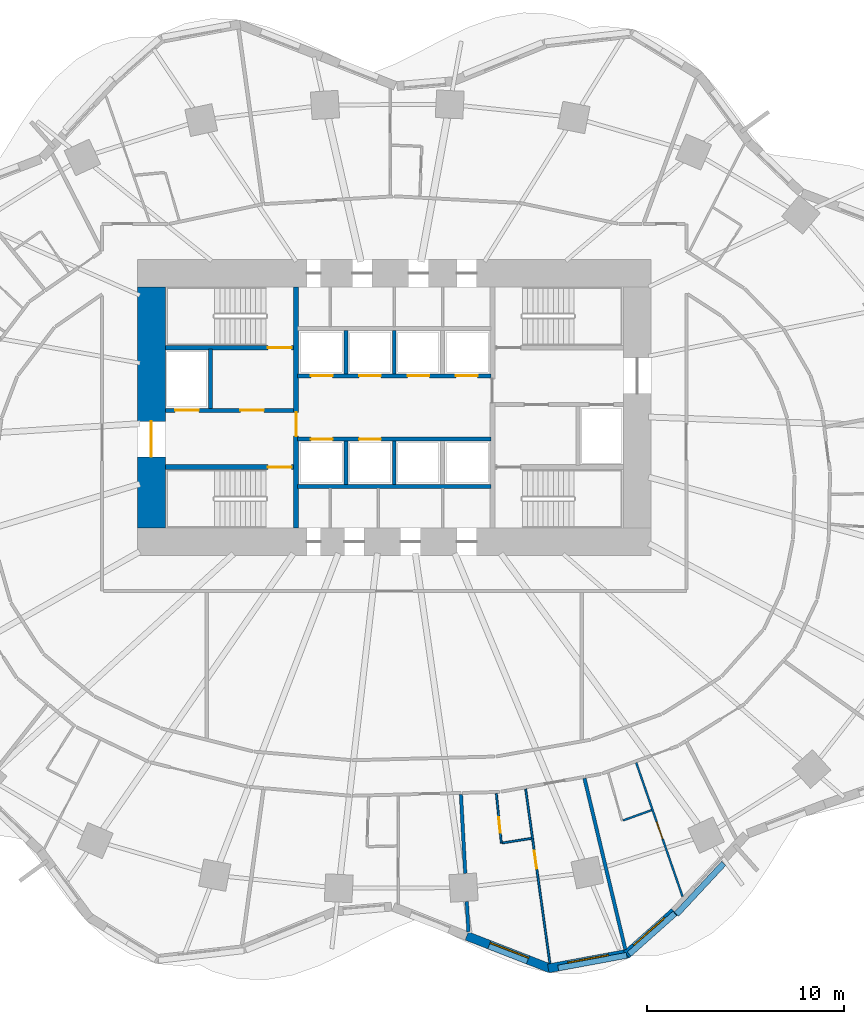
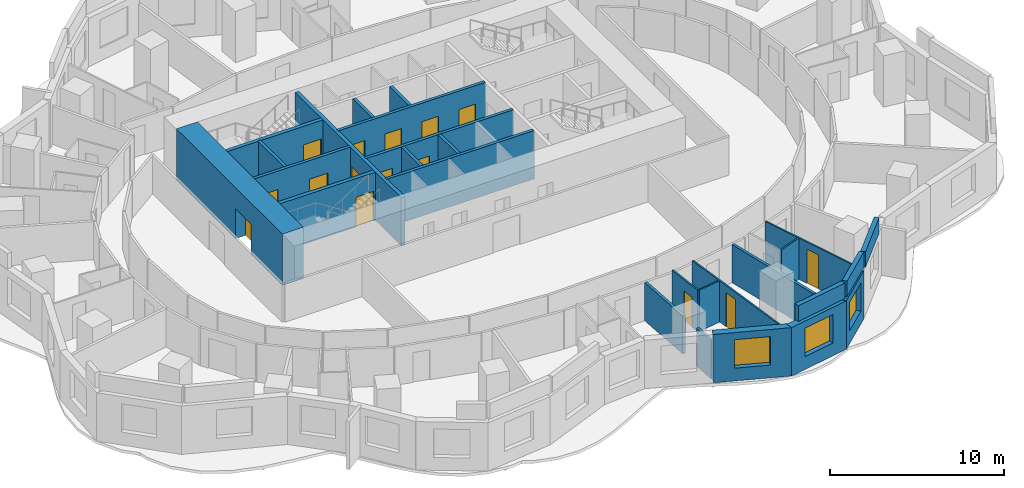
# One storey, part 5 of 11: 27 walls, 15 doors, 3 windows, 18 openings.
"""IFC4 building model written with IfcOpenShell, lengths in metres."""

from ifc_helpers import new_model, si_unit, direction, frame, frame_2d, origin, place, context, subcontext, project, spatial, rectangle, extrude, material, layer, layer_set, type_object, element, fill, save


model = new_model("IFC4")

# Units and contexts
model_context = context("Model", 3, precision=1e-05, world=origin(), true_north=direction((0.0, 1.0)))
body_context = subcontext(model_context, "Body", "Model", "MODEL_VIEW")
ifc_project = project(units=[si_unit("LENGTHUNIT", "METRE"), si_unit("AREAUNIT", "SQUARE_METRE"), si_unit("VOLUMEUNIT", "CUBIC_METRE"), si_unit("PLANEANGLEUNIT", "RADIAN"), si_unit("MASSUNIT", "GRAM", prefix="KILO")], contexts=[model_context])

# Site, building, storey
site_placement = place(None, origin())
site = spatial("IfcSite", under=ifc_project, at=site_placement, CompositionType="ELEMENT")
building_placement = place(site_placement, origin())
building = spatial("IfcBuilding", under=site, at=building_placement, Name="Rubra Terraces Tower", CompositionType="ELEMENT")
storey_placement = place(building_placement, frame((0.0, 0.0, 51.89990234375)))
storey = spatial("IfcBuildingStorey", under=building, at=storey_placement, Name="L10", CompositionType="ELEMENT", Elevation=51.89990234375)

# Walls
ifc_material_1 = material(Name="Twin plasterboard on staggered steel stud, acoustic mineral wool", Category="steel")
ifc_layer_1 = layer(ifc_material_1, 0.175048828125)
ifc_layer_set_1 = layer_set([ifc_layer_1], Name="Twin plasterboard on staggered steel stud, acoustic mineral wool")
wall_type_1 = type_object("IfcWallType", Name="ACOUSTIC PARTY WALL 175", PredefinedType="PARTITIONING", material=ifc_layer_set_1)
wall_1_placement = place(storey_placement, frame((3.7568359375, -22.0576171875, 0.0), z_axis=(0.0, 0.0, 1.0), x_axis=(-0.054592188309, 0.998508734552, 0.0)))
element("IfcWall", 1, at=wall_1_placement, inside=storey, type_object=wall_type_1, Name="PARTITION", PredefinedType="PARTITIONING", context=body_context, shape_type="SweptSolid", body=[
    extrude(rectangle(XDim=1.52490234375, YDim=0.175048828125, at=frame_2d((0.762451171875, 0.0))), origin(), (0.0, 0.0, 1.0), 2.68017578125),
])
wall_2_placement = place(storey_placement, frame((3.59521484375, -19.09716796875, 0.0), z_axis=(0.0, 0.0, 1.0), x_axis=(-0.054614936385, 0.99850749057, 0.0)))
element("IfcWall", 2, at=wall_2_placement, inside=storey, type_object=wall_type_1, Name="PARTITION", PredefinedType="PARTITIONING", context=body_context, shape_type="SweptSolid", body=[
    extrude(rectangle(XDim=4.000732421875, YDim=0.175048828125, at=frame_2d((2.00048828125, 0.0))), origin(), (0.0, 0.0, 1.0), 2.68017578125),
])
wall_3_placement = place(storey_placement, frame((11.70654296875, -22.9560546875, 0.0), z_axis=(0.0, 0.0, 1.0), x_axis=(-0.232387269729, 0.972623337612, 0.0)))
element("IfcWall", 3, at=wall_3_placement, inside=storey, type_object=wall_type_1, Name="PARTITION", PredefinedType="PARTITIONING", context=body_context, shape_type="SweptSolid", body=[
    extrude(rectangle(XDim=8.909912109375, YDim=0.175048828125, at=frame_2d((4.455078125, 0.0))), origin(), (0.0, 0.0, 1.0), 2.68017578125),
])

# Wall, opening, window
ifc_material_2 = material(Name="Brick masonry red-brown", Category="masonry")
ifc_layer_2 = layer(ifc_material_2, 0.449951171875)
ifc_layer_set_2 = layer_set([ifc_layer_2], Name="Brick masonry red-brown")
wall_type_2 = type_object("IfcWallType", Name="Brick facade wall 450", PredefinedType="SOLIDWALL", material=ifc_layer_set_2)
wall_4_placement = place(storey_placement, frame((3.671630859375, -22.27001953125, 0.0), z_axis=(0.0, 0.0, 1.0), x_axis=(0.931791503167, -0.36299393194, 0.0)))
wall_4 = element("IfcWall", 4, at=wall_4_placement, inside=storey, type_object=wall_type_2, Name="Facade wall L10 bay 32", PredefinedType="SOLIDWALL", context=body_context, shape_type="SweptSolid", body=[
    extrude(rectangle(XDim=4.56005859375, YDim=0.449951171875, at=frame_2d((2.280029296875, 0.0))), origin(), (0.0, 0.0, 1.0), 3.400146484375),
])
opening_1_placement = place(wall_4_placement, frame((1.22998046875, 0.0, 0.89990234375)))
opening_1 = element("IfcOpeningElement", 5, at=opening_1_placement, cuts=wall_4, Name="Opening W1", PredefinedType="OPENING", context=body_context, shape_type="SweptSolid", body=[
    extrude(rectangle(XDim=2.10009765625, YDim=2.0, at=frame_2d((1.050048828125, 1.0))), frame((0.0, 0.23486328125, 0.0), z_axis=(0.0, -1.0, 0.0), x_axis=(1.0, 0.0, 0.0)), (0.0, 0.0, 1.0), 0.469970703125),
])
ifc_material_3 = material(Name="Clear glass in aluminium frame", Category="aluminium")
window_type = type_object("IfcWindowType", Name="Fixed deep-set window 2100 x 2000", PartitioningType="SINGLE_PANEL", PredefinedType="WINDOW", material=ifc_material_3)
window_1_placement = place(opening_1_placement, origin())
window_1 = element("IfcWindow", 6, at=window_1_placement, inside=storey, type_object=window_type, Name="Window L10 bay 32", OverallHeight=2.0, OverallWidth=2.10009765625, PartitioningType="SINGLE_PANEL", PredefinedType="WINDOW", context=body_context, shape_type="SweptSolid", body=[
    extrude(rectangle(XDim=2.10009765625, YDim=2.0, at=frame_2d((1.050048828125, 1.0))), frame((0.0, 0.135009765625, 0.0), z_axis=(0.0, -1.0, 0.0), x_axis=(1.0, 0.0, 0.0)), (0.0, 0.0, 1.0), 0.06005859375),
])
fill(opening_1, window_1)

wall_5_placement = place(storey_placement, frame((7.80078125, -23.914794921875, 0.0), z_axis=(0.0, 0.0, 1.0), x_axis=(0.983186467795, 0.182604407242, 0.0)))
wall_5 = element("IfcWall", 7, at=wall_5_placement, inside=storey, type_object=wall_type_2, Name="Facade wall L10 bay 33", PredefinedType="SOLIDWALL", context=body_context, shape_type="SweptSolid", body=[
    extrude(rectangle(XDim=4.140625, YDim=0.449951171875, at=frame_2d((2.0703125, 0.0))), origin(), (0.0, 0.0, 1.0), 3.400146484375),
])
opening_2_placement = place(wall_5_placement, frame((1.020263671875, 0.0, 0.89990234375)))
opening_2 = element("IfcOpeningElement", 8, at=opening_2_placement, cuts=wall_5, Name="Opening W1", PredefinedType="OPENING", context=body_context, shape_type="SweptSolid", body=[
    extrude(rectangle(XDim=2.10009765625, YDim=2.0, at=frame_2d((1.050048828125, 1.0))), frame((0.0, 0.23486328125, 0.0), z_axis=(0.0, -1.0, 0.0), x_axis=(1.0, 0.0, 0.0)), (0.0, 0.0, 1.0), 0.469970703125),
])
window_2_placement = place(opening_2_placement, origin())
window_2 = element("IfcWindow", 9, at=window_2_placement, inside=storey, type_object=window_type, Name="Window L10 bay 33", OverallHeight=2.0, OverallWidth=2.10009765625, PartitioningType="SINGLE_PANEL", PredefinedType="WINDOW", context=body_context, shape_type="SweptSolid", body=[
    extrude(rectangle(XDim=2.10009765625, YDim=2.0, at=frame_2d((1.050048828125, 1.0))), frame((0.0, 0.135009765625, 0.0), z_axis=(0.0, -1.0, 0.0), x_axis=(1.0, 0.0, 0.0)), (0.0, 0.0, 1.0), 0.06005859375),
])
fill(opening_2, window_2)

wall_6_placement = place(storey_placement, frame((11.763427734375, -23.2119140625, 0.0), z_axis=(0.0, 0.0, 1.0), x_axis=(0.74723528797, 0.664559571755, 0.0)))
wall_6 = element("IfcWall", 10, at=wall_6_placement, inside=storey, type_object=wall_type_2, Name="Facade wall L10 bay 34", PredefinedType="SOLIDWALL", context=body_context, shape_type="SweptSolid", body=[
    extrude(rectangle(XDim=3.251220703125, YDim=0.449951171875, at=frame_2d((1.62548828125, 0.0))), origin(), (0.0, 0.0, 1.0), 3.400146484375),
])
opening_3_placement = place(wall_6_placement, frame((0.57568359375, 0.0, 0.89990234375)))
opening_3 = element("IfcOpeningElement", 11, at=opening_3_placement, cuts=wall_6, Name="Opening W1", PredefinedType="OPENING", context=body_context, shape_type="SweptSolid", body=[
    extrude(rectangle(XDim=2.10009765625, YDim=2.0, at=frame_2d((1.050048828125, 1.0))), frame((0.0, 0.23486328125, 0.0), z_axis=(0.0, -1.0, 0.0), x_axis=(1.0, 0.0, 0.0)), (0.0, 0.0, 1.0), 0.469970703125),
])
window_3_placement = place(opening_3_placement, origin())
window_3 = element("IfcWindow", 12, at=window_3_placement, inside=storey, type_object=window_type, Name="Window L10 bay 34", OverallHeight=2.0, OverallWidth=2.10009765625, PartitioningType="SINGLE_PANEL", PredefinedType="WINDOW", context=body_context, shape_type="SweptSolid", body=[
    extrude(rectangle(XDim=2.10009765625, YDim=2.0, at=frame_2d((1.050048828125, 1.0))), frame((0.0, 0.135009765625, 0.0), z_axis=(0.0, -1.0, 0.0), x_axis=(1.0, 0.0, 0.0)), (0.0, 0.0, 1.0), 0.06005859375),
])
fill(opening_3, window_3)

# Walls
ifc_layer_3 = layer(ifc_material_2, 0.300048828125)
ifc_layer_set_3 = layer_set([ifc_layer_3], Name="Brick masonry red-brown")
wall_type_3 = type_object("IfcWallType", Name="Brick parapet 300", PredefinedType="PARAPET", material=ifc_layer_set_3)
wall_7_placement = place(storey_placement, frame((8.304443359375, -23.8974609375, 3.60009765625), z_axis=(0.0, 0.0, 1.0), x_axis=(0.983203460001, 0.182512893356, 0.0)))
element("IfcWall", 13, at=wall_7_placement, inside=storey, type_object=wall_type_3, Name="Parapet L10 bay 33", PredefinedType="PARAPET", context=body_context, shape_type="SweptSolid", body=[
    extrude(rectangle(XDim=3.52880859375, YDim=0.300048828125, at=frame_2d((1.764404296875, 0.0))), origin(), (0.0, 0.0, 1.0), 1.10009765625),
])
wall_8_placement = place(storey_placement, frame((11.898193359375, -23.1923828125, 3.60009765625), z_axis=(0.0, 0.0, 1.0), x_axis=(0.74726596591, 0.664525075669, 0.0)))
element("IfcWall", 14, at=wall_8_placement, inside=storey, type_object=wall_type_3, Name="Parapet L10 bay 34", PredefinedType="PARAPET", context=body_context, shape_type="SweptSolid", body=[
    extrude(rectangle(XDim=3.10107421875, YDim=0.300048828125, at=frame_2d((1.550537109375, 0.0))), origin(), (0.0, 0.0, 1.0), 1.10009765625),
])
wall_9_placement = place(storey_placement, frame((14.293212890625, -21.173583984375, 3.60009765625), z_axis=(0.0, 0.0, 1.0), x_axis=(0.680821476217, 0.732449395877, 0.0)))
element("IfcWall", 15, at=wall_9_placement, inside=storey, type_object=wall_type_3, Name="Parapet L10 bay 35", PredefinedType="PARAPET", context=body_context, shape_type="SweptSolid", body=[
    extrude(rectangle(XDim=3.513427734375, YDim=0.300048828125, at=frame_2d((1.7568359375, 0.0))), origin(), (0.0, 0.0, 1.0), 1.10009765625),
])

# Wall, opening, door
ifc_material_4 = material(Name="Concrete C70", Category="concrete")
ifc_layer_4 = layer(ifc_material_4, 1.39990234375)
ifc_layer_set_4 = layer_set([ifc_layer_4], Name="Concrete C70")
wall_type_4 = type_object("IfcWallType", Name="CORE WALL 1400 C70", PredefinedType="SHEAR", material=ifc_layer_set_4)
wall_10_placement = place(storey_placement, frame((-12.300048828125, -1.60009765625, 0.0), z_axis=(0.0, 0.0, 1.0), x_axis=(0.0, 1.0, 0.0)))
wall_10 = element("IfcWall", 16, at=wall_10_placement, inside=storey, type_object=wall_type_4, Name="CORE WALL W L10", PredefinedType="SHEAR", context=body_context, shape_type="SweptSolid", body=[
    extrude(rectangle(XDim=12.2001953125, YDim=1.39990234375, at=frame_2d((6.10009765625, 0.0))), origin(), (0.0, 0.0, 1.0), 3.60009765625),
])
opening_4_placement = place(wall_10_placement, frame((3.60009765625, 0.0, 0.0)))
opening_4 = element("IfcOpeningElement", 17, at=opening_4_placement, cuts=wall_10, Name="Opening L10.C01", PredefinedType="OPENING", context=body_context, shape_type="SweptSolid", body=[
    extrude(rectangle(XDim=1.800048828125, YDim=2.10009765625, at=frame_2d((0.89990234375, 1.050048828125))), frame((0.0, 0.7099609375, 0.0), z_axis=(0.0, -1.0, 0.0), x_axis=(1.0, 0.0, 0.0)), (0.0, 0.0, 1.0), 1.419921875),
])
ifc_material_5 = material(Name="Painted steel", Category="steel")
door_type_1 = type_object("IfcDoorType", Name="Fire door 1800x2100 double", OperationType="NOTDEFINED", PredefinedType="DOOR", material=ifc_material_5)
door_1_placement = place(opening_4_placement, origin())
door_1 = element("IfcDoor", 18, at=door_1_placement, inside=storey, type_object=door_type_1, Name="Core entrance door FF1", OperationType="DOUBLE_DOOR_SINGLE_SWING", OverallHeight=2.10009765625, OverallWidth=1.800048828125, PredefinedType="DOOR", context=body_context, shape_type="SweptSolid", body=[
    extrude(rectangle(XDim=1.800048828125, YDim=2.10009765625, at=frame_2d((0.89990234375, 1.050048828125))), frame((0.0, 0.02490234375, 0.0), z_axis=(0.0, -1.0, 0.0), x_axis=(1.0, 0.0, 0.0)), (0.0, 0.0, 1.0), 0.050048828125),
])
fill(opening_4, door_1)

# Wall, openings, doors
ifc_material_6 = material(Name="Concrete C30", Category="concrete")
ifc_layer_5 = layer(ifc_material_6, 0.199951171875)
ifc_layer_set_5 = layer_set([ifc_layer_5], Name="Concrete C30")
wall_type_5 = type_object("IfcWallType", Name="Core wall 200 concrete", PredefinedType="SOLIDWALL", material=ifc_layer_set_5)
wall_11_placement = place(storey_placement, frame((-11.60009765625, 4.35009765625, 0.0), z_axis=(0.0, 0.0, 1.0), x_axis=(1.0, 0.0, 0.0)))
wall_11 = element("IfcWall", 19, at=wall_11_placement, inside=storey, type_object=wall_type_5, Name="STAIR WALL L10", PredefinedType="SOLIDWALL", context=body_context, shape_type="SweptSolid", body=[
    extrude(rectangle(XDim=6.5, YDim=0.199951171875, at=frame_2d((3.25, 0.0))), origin(), (0.0, 0.0, 1.0), 3.400146484375),
])
opening_5_placement = place(wall_11_placement, frame((3.800048828125, 0.0, 0.0)))
opening_5 = element("IfcOpeningElement", 20, at=opening_5_placement, cuts=wall_11, Name="Opening L10.C05", PredefinedType="OPENING", context=body_context, shape_type="SweptSolid", body=[
    extrude(rectangle(XDim=1.199951171875, YDim=2.10009765625, at=frame_2d((0.60009765625, 1.050048828125))), frame((0.0, 0.10986328125, 0.0), z_axis=(0.0, -1.0, 0.0), x_axis=(1.0, 0.0, 0.0)), (0.0, 0.0, 1.0), 0.219970703125),
])
opening_6_placement = place(wall_11_placement, frame((0.5, 0.0, 0.0)))
opening_6 = element("IfcOpeningElement", 21, at=opening_6_placement, cuts=wall_11, Name="Opening L10.C11", PredefinedType="OPENING", context=body_context, shape_type="SweptSolid", body=[
    extrude(rectangle(XDim=1.199951171875, YDim=2.10009765625, at=frame_2d((0.60009765625, 1.050048828125))), frame((0.0, 0.10986328125, 0.0), z_axis=(0.0, -1.0, 0.0), x_axis=(1.0, 0.0, 0.0)), (0.0, 0.0, 1.0), 0.219970703125),
])
door_type_2 = type_object("IfcDoorType", Name="Fire door 1200x2100 single", OperationType="NOTDEFINED", PredefinedType="DOOR", material=ifc_material_5)
door_2_placement = place(opening_5_placement, origin())
door_2 = element("IfcDoor", 22, at=door_2_placement, inside=storey, type_object=door_type_2, Name="Stair vestibule door S2", OperationType="SINGLE_SWING_LEFT", OverallHeight=2.10009765625, OverallWidth=1.199951171875, PredefinedType="DOOR", context=body_context, shape_type="SweptSolid", body=[
    extrude(rectangle(XDim=1.199951171875, YDim=2.10009765625, at=frame_2d((0.60009765625, 1.050048828125))), frame((0.0, 0.02490234375, 0.0), z_axis=(0.0, -1.0, 0.0), x_axis=(1.0, 0.0, 0.0)), (0.0, 0.0, 1.0), 0.050048828125),
])
fill(opening_5, door_2)
ifc_material_7 = material(Name="Stainless steel", Category="steel")
door_type_3 = type_object("IfcDoorType", Name="Lift landing door 1200x2100", OperationType="NOTDEFINED", PredefinedType="DOOR", material=ifc_material_7)
door_3_placement = place(opening_6_placement, origin())
door_3 = element("IfcDoor", 23, at=door_3_placement, inside=storey, type_object=door_type_3, Name="Landing door FF1", OperationType="SLIDING_TO_RIGHT", OverallHeight=2.10009765625, OverallWidth=1.199951171875, PredefinedType="DOOR", context=body_context, shape_type="SweptSolid", body=[
    extrude(rectangle(XDim=1.199951171875, YDim=2.10009765625, at=frame_2d((0.60009765625, 1.050048828125))), frame((0.0, 0.02490234375, 0.0), z_axis=(0.0, -1.0, 0.0), x_axis=(1.0, 0.0, 0.0)), (0.0, 0.0, 1.0), 0.050048828125),
])
fill(opening_6, door_3)

# Walls
wall_12_placement = place(storey_placement, frame((-9.300048828125, 4.449951171875, 0.0), z_axis=(0.0, 0.0, 1.0), x_axis=(0.0, 1.0, 0.0)))
element("IfcWall", 24, at=wall_12_placement, inside=storey, type_object=wall_type_5, Name="STAIR WALL L10", PredefinedType="SOLIDWALL", context=body_context, shape_type="SweptSolid", body=[
    extrude(rectangle(XDim=3.0, YDim=0.199951171875, at=frame_2d((1.5, 0.0))), origin(), (0.0, 0.0, 1.0), 3.400146484375),
])
wall_13_placement = place(storey_placement, frame((-4.89990234375, 0.5, 0.0), z_axis=(0.0, 0.0, 1.0), x_axis=(1.0, 0.0, 0.0)))
element("IfcWall", 25, at=wall_13_placement, inside=storey, type_object=wall_type_5, Name="LIFT SHAFT WALL L10", PredefinedType="SOLIDWALL", context=body_context, shape_type="SweptSolid", body=[
    extrude(rectangle(XDim=9.7998046875, YDim=0.199951171875, at=frame_2d((4.89990234375, 0.0))), origin(), (0.0, 0.0, 1.0), 3.400146484375),
])

# Wall, openings, doors
wall_14_placement = place(storey_placement, frame((-4.89990234375, 2.89990234375, 0.0), z_axis=(0.0, 0.0, 1.0), x_axis=(1.0, 0.0, 0.0)))
wall_14 = element("IfcWall", 26, at=wall_14_placement, inside=storey, type_object=wall_type_5, Name="LIFT SHAFT WALL L10", PredefinedType="SOLIDWALL", context=body_context, shape_type="SweptSolid", body=[
    extrude(rectangle(XDim=9.7998046875, YDim=0.199951171875, at=frame_2d((4.89990234375, 0.0))), origin(), (0.0, 0.0, 1.0), 3.400146484375),
])
opening_7_placement = place(wall_14_placement, frame((0.675048828125, 0.0, 0.0)))
opening_7 = element("IfcOpeningElement", 27, at=opening_7_placement, cuts=wall_14, Name="Opening L10.C13", PredefinedType="OPENING", context=body_context, shape_type="SweptSolid", body=[
    extrude(rectangle(XDim=1.10009765625, YDim=2.10009765625, at=frame_2d((0.550048828125, 1.050048828125))), frame((0.0, 0.10986328125, 0.0), z_axis=(0.0, -1.0, 0.0), x_axis=(1.0, 0.0, 0.0)), (0.0, 0.0, 1.0), 0.219970703125),
])
opening_8_placement = place(wall_14_placement, frame((3.125, 0.0, 0.0)))
opening_8 = element("IfcOpeningElement", 28, at=opening_8_placement, cuts=wall_14, Name="Opening L10.C14", PredefinedType="OPENING", context=body_context, shape_type="SweptSolid", body=[
    extrude(rectangle(XDim=1.10009765625, YDim=2.10009765625, at=frame_2d((0.550048828125, 1.050048828125))), frame((0.0, 0.10986328125, 0.0), z_axis=(0.0, -1.0, 0.0), x_axis=(1.0, 0.0, 0.0)), (0.0, 0.0, 1.0), 0.219970703125),
])
door_type_4 = type_object("IfcDoorType", Name="Lift landing door 1100x2100", OperationType="NOTDEFINED", PredefinedType="DOOR", material=ifc_material_7)
door_4_placement = place(opening_7_placement, origin())
door_4 = element("IfcDoor", 29, at=door_4_placement, inside=storey, type_object=door_type_4, Name="Landing door LB1", OperationType="SLIDING_TO_RIGHT", OverallHeight=2.10009765625, OverallWidth=1.10009765625, PredefinedType="DOOR", context=body_context, shape_type="SweptSolid", body=[
    extrude(rectangle(XDim=1.10009765625, YDim=2.10009765625, at=frame_2d((0.550048828125, 1.050048828125))), frame((0.0, 0.02490234375, 0.0), z_axis=(0.0, -1.0, 0.0), x_axis=(1.0, 0.0, 0.0)), (0.0, 0.0, 1.0), 0.050048828125),
])
fill(opening_7, door_4)
door_5_placement = place(opening_8_placement, origin())
door_5 = element("IfcDoor", 30, at=door_5_placement, inside=storey, type_object=door_type_4, Name="Landing door LB2", OperationType="SLIDING_TO_LEFT", OverallHeight=2.10009765625, OverallWidth=1.10009765625, PredefinedType="DOOR", context=body_context, shape_type="SweptSolid", body=[
    extrude(rectangle(XDim=1.10009765625, YDim=2.10009765625, at=frame_2d((0.550048828125, 1.050048828125))), frame((0.0, 0.02490234375, 0.0), z_axis=(0.0, -1.0, 0.0), x_axis=(1.0, 0.0, 0.0)), (0.0, 0.0, 1.0), 0.050048828125),
])
fill(opening_8, door_5)

wall_15_placement = place(storey_placement, frame((-4.89990234375, 6.10009765625, 0.0), z_axis=(0.0, 0.0, 1.0), x_axis=(1.0, 0.0, 0.0)))
wall_15 = element("IfcWall", 31, at=wall_15_placement, inside=storey, type_object=wall_type_5, Name="LIFT SHAFT WALL L10", PredefinedType="SOLIDWALL", context=body_context, shape_type="SweptSolid", body=[
    extrude(rectangle(XDim=9.7998046875, YDim=0.199951171875, at=frame_2d((4.89990234375, 0.0))), origin(), (0.0, 0.0, 1.0), 3.400146484375),
])
opening_9_placement = place(wall_15_placement, frame((0.675048828125, 0.0, 0.0)))
opening_9 = element("IfcOpeningElement", 32, at=opening_9_placement, cuts=wall_15, Name="Opening L10.C15", PredefinedType="OPENING", context=body_context, shape_type="SweptSolid", body=[
    extrude(rectangle(XDim=1.10009765625, YDim=2.10009765625, at=frame_2d((0.550048828125, 1.050048828125))), frame((0.0, 0.10986328125, 0.0), z_axis=(0.0, -1.0, 0.0), x_axis=(1.0, 0.0, 0.0)), (0.0, 0.0, 1.0), 0.219970703125),
])
opening_10_placement = place(wall_15_placement, frame((3.125, 0.0, 0.0)))
opening_10 = element("IfcOpeningElement", 33, at=opening_10_placement, cuts=wall_15, Name="Opening L10.C16", PredefinedType="OPENING", context=body_context, shape_type="SweptSolid", body=[
    extrude(rectangle(XDim=1.10009765625, YDim=2.10009765625, at=frame_2d((0.550048828125, 1.050048828125))), frame((0.0, 0.10986328125, 0.0), z_axis=(0.0, -1.0, 0.0), x_axis=(1.0, 0.0, 0.0)), (0.0, 0.0, 1.0), 0.219970703125),
])
opening_11_placement = place(wall_15_placement, frame((5.574951171875, 0.0, 0.0)))
opening_11 = element("IfcOpeningElement", 34, at=opening_11_placement, cuts=wall_15, Name="Opening L10.C17", PredefinedType="OPENING", context=body_context, shape_type="SweptSolid", body=[
    extrude(rectangle(XDim=1.10009765625, YDim=2.10009765625, at=frame_2d((0.550048828125, 1.050048828125))), frame((0.0, 0.10986328125, 0.0), z_axis=(0.0, -1.0, 0.0), x_axis=(1.0, 0.0, 0.0)), (0.0, 0.0, 1.0), 0.219970703125),
])
opening_12_placement = place(wall_15_placement, frame((8.02490234375, 0.0, 0.0)))
opening_12 = element("IfcOpeningElement", 35, at=opening_12_placement, cuts=wall_15, Name="Opening L10.C18", PredefinedType="OPENING", context=body_context, shape_type="SweptSolid", body=[
    extrude(rectangle(XDim=1.10009765625, YDim=2.10009765625, at=frame_2d((0.550048828125, 1.050048828125))), frame((0.0, 0.10986328125, 0.0), z_axis=(0.0, -1.0, 0.0), x_axis=(1.0, 0.0, 0.0)), (0.0, 0.0, 1.0), 0.219970703125),
])
door_6_placement = place(opening_9_placement, origin())
door_6 = element("IfcDoor", 36, at=door_6_placement, inside=storey, type_object=door_type_4, Name="Landing door LB3", OperationType="SLIDING_TO_RIGHT", OverallHeight=2.10009765625, OverallWidth=1.10009765625, PredefinedType="DOOR", context=body_context, shape_type="SweptSolid", body=[
    extrude(rectangle(XDim=1.10009765625, YDim=2.10009765625, at=frame_2d((0.550048828125, 1.050048828125))), frame((0.0, 0.02490234375, 0.0), z_axis=(0.0, -1.0, 0.0), x_axis=(1.0, 0.0, 0.0)), (0.0, 0.0, 1.0), 0.050048828125),
])
fill(opening_9, door_6)
door_7_placement = place(opening_10_placement, origin())
door_7 = element("IfcDoor", 37, at=door_7_placement, inside=storey, type_object=door_type_4, Name="Landing door LB4", OperationType="SLIDING_TO_LEFT", OverallHeight=2.10009765625, OverallWidth=1.10009765625, PredefinedType="DOOR", context=body_context, shape_type="SweptSolid", body=[
    extrude(rectangle(XDim=1.10009765625, YDim=2.10009765625, at=frame_2d((0.550048828125, 1.050048828125))), frame((0.0, 0.02490234375, 0.0), z_axis=(0.0, -1.0, 0.0), x_axis=(1.0, 0.0, 0.0)), (0.0, 0.0, 1.0), 0.050048828125),
])
fill(opening_10, door_7)
door_8_placement = place(opening_11_placement, origin())
door_8 = element("IfcDoor", 38, at=door_8_placement, inside=storey, type_object=door_type_4, Name="Landing door LB5", OperationType="SLIDING_TO_RIGHT", OverallHeight=2.10009765625, OverallWidth=1.10009765625, PredefinedType="DOOR", context=body_context, shape_type="SweptSolid", body=[
    extrude(rectangle(XDim=1.10009765625, YDim=2.10009765625, at=frame_2d((0.550048828125, 1.050048828125))), frame((0.0, 0.02490234375, 0.0), z_axis=(0.0, -1.0, 0.0), x_axis=(1.0, 0.0, 0.0)), (0.0, 0.0, 1.0), 0.050048828125),
])
fill(opening_11, door_8)
door_9_placement = place(opening_12_placement, origin())
door_9 = element("IfcDoor", 39, at=door_9_placement, inside=storey, type_object=door_type_4, Name="Landing door LB6", OperationType="SLIDING_TO_LEFT", OverallHeight=2.10009765625, OverallWidth=1.10009765625, PredefinedType="DOOR", context=body_context, shape_type="SweptSolid", body=[
    extrude(rectangle(XDim=1.10009765625, YDim=2.10009765625, at=frame_2d((0.550048828125, 1.050048828125))), frame((0.0, 0.02490234375, 0.0), z_axis=(0.0, -1.0, 0.0), x_axis=(1.0, 0.0, 0.0)), (0.0, 0.0, 1.0), 0.050048828125),
])
fill(opening_12, door_9)

# Walls
for number, where, z_axis, x_axis, name in (
    (40, (-2.449951171875, 0.60009765625, 0.0), (0.0, 0.0, 1.0), (0.0, 1.0, 0.0), "LIFT SHAFT WALL L10"),
    (41, (0.0, 0.60009765625, 0.0), (0.0, 0.0, 1.0), (0.0, 1.0, 0.0), "LIFT SHAFT WALL L10"),
    (42, (-2.449951171875, 6.199951171875, 0.0), (0.0, 0.0, 1.0), (0.0, 1.0, 0.0), "LIFT SHAFT WALL L10"),
    (43, (0.0, 6.199951171875, 0.0), (0.0, 0.0, 1.0), (0.0, 1.0, 0.0), "LIFT SHAFT WALL L10"),
):
    element("IfcWall", number, at=place(storey_placement, frame(where, z_axis=z_axis, x_axis=x_axis)), inside=storey, type_object=wall_type_5, Name=name, PredefinedType="SOLIDWALL", context=body_context, shape_type="SweptSolid", body=[
        extrude(rectangle(XDim=2.199951171875, YDim=0.199951171875, at=frame_2d((1.10009765625, 0.0))), origin(), (0.0, 0.0, 1.0), 3.400146484375),
    ])

# Wall, opening, door
ifc_material_8 = material(Name="Plasterboard on steel stud", Category="steel")
ifc_layer_6 = layer(ifc_material_8, 0.10009765625)
ifc_layer_set_6 = layer_set([ifc_layer_6], Name="Plasterboard on steel stud")
wall_type_6 = type_object("IfcWallType", Name="ROOM PARTITION 100", PredefinedType="PARTITIONING", material=ifc_layer_set_6)
wall_16_placement = place(storey_placement, frame((7.88525390625, -23.66552734375, 0.0), z_axis=(0.0, 0.0, 1.0), x_axis=(-0.137792588261, 0.990461106061, 0.0)))
wall_16 = element("IfcWall", 44, at=wall_16_placement, inside=storey, type_object=wall_type_6, Name="PARTITION", PredefinedType="PARTITIONING", context=body_context, shape_type="SweptSolid", body=[
    extrude(rectangle(XDim=8.931640625, YDim=0.10009765625, at=frame_2d((4.4658203125, 0.0))), origin(), (0.0, 0.0, 1.0), 2.898193359375),
])
opening_13_placement = place(wall_16_placement, frame((4.85693359375, 0.0, 0.0)))
opening_13 = element("IfcOpeningElement", 45, at=opening_13_placement, cuts=wall_16, Name="Opening 10-120", PredefinedType="OPENING", context=body_context, shape_type="SweptSolid", body=[
    extrude(rectangle(XDim=0.89990234375, YDim=2.39990234375, at=frame_2d((0.449951171875, 1.199951171875))), frame((0.0, 0.06005859375, 0.0), z_axis=(0.0, -1.0, 0.0), x_axis=(1.0, 0.0, 0.0)), (0.0, 0.0, 1.0), 0.1201171875),
])
ifc_material_9 = material(Name="Veneered timber door leaf, fire-rated", Category="wood")
door_type_5 = type_object("IfcDoorType", Name="SUITE ENTRANCE DOOR 900 X 2400", OperationType="SINGLE_SWING_LEFT", PredefinedType="DOOR", material=ifc_material_9)
door_10_placement = place(opening_13_placement, origin())
door_10 = element("IfcDoor", 46, at=door_10_placement, inside=storey, type_object=door_type_5, Name="DOOR 10-120", OperationType="SINGLE_SWING_LEFT", OverallHeight=2.39990234375, OverallWidth=0.89990234375, PredefinedType="DOOR", context=body_context, shape_type="SweptSolid", body=[
    extrude(rectangle(XDim=0.89990234375, YDim=2.39990234375, at=frame_2d((0.449951171875, 1.199951171875))), frame((0.0, 0.02490234375, 0.0), z_axis=(0.0, -1.0, 0.0), x_axis=(1.0, 0.0, 0.0)), (0.0, 0.0, 1.0), 0.050048828125),
])
fill(opening_13, door_10)

wall_17_placement = place(storey_placement, frame((5.172119140625, -15.055419921875, 0.0), z_axis=(0.0, 0.0, 1.0), x_axis=(0.099972776087, -0.994990172837, 0.0)))
wall_17 = element("IfcWall", 47, at=wall_17_placement, inside=storey, type_object=wall_type_6, Name="PARTITION", PredefinedType="PARTITIONING", context=body_context, shape_type="SweptSolid", body=[
    extrude(rectangle(XDim=2.525146484375, YDim=0.10009765625, at=frame_2d((1.2626953125, 0.0))), origin(), (0.0, 0.0, 1.0), 2.898193359375),
])
opening_14_placement = place(wall_17_placement, frame((1.199951171875, 0.0, 0.0)))
opening_14 = element("IfcOpeningElement", 48, at=opening_14_placement, cuts=wall_17, Name="Opening 10-119", PredefinedType="OPENING", context=body_context, shape_type="SweptSolid", body=[
    extrude(rectangle(XDim=0.800048828125, YDim=2.10009765625, at=frame_2d((0.39990234375, 1.050048828125))), frame((0.0, 0.06005859375, 0.0), z_axis=(0.0, -1.0, 0.0), x_axis=(1.0, 0.0, 0.0)), (0.0, 0.0, 1.0), 0.1201171875),
])
ifc_material_10 = material(Name="Painted timber door leaf", Category="wood")
door_type_6 = type_object("IfcDoorType", Name="BATHROOM DOOR 800 X 2100", OperationType="SINGLE_SWING_LEFT", PredefinedType="DOOR", material=ifc_material_10)
door_11_placement = place(opening_14_placement, origin())
door_11 = element("IfcDoor", 49, at=door_11_placement, inside=storey, type_object=door_type_6, Name="DOOR 10-119", OperationType="SINGLE_SWING_LEFT", OverallHeight=2.10009765625, OverallWidth=0.800048828125, PredefinedType="DOOR", context=body_context, shape_type="SweptSolid", body=[
    extrude(rectangle(XDim=0.800048828125, YDim=2.10009765625, at=frame_2d((0.39990234375, 1.050048828125))), frame((0.0, 0.02490234375, 0.0), z_axis=(0.0, -1.0, 0.0), x_axis=(1.0, 0.0, 0.0)), (0.0, 0.0, 1.0), 0.050048828125),
])
fill(opening_14, door_11)

# Wall
wall_18_placement = place(storey_placement, frame((5.473876953125, -17.56005859375, 0.0), z_axis=(0.0, 0.0, 1.0), x_axis=(0.987901407122, 0.15508323509, 0.0)))
element("IfcWall", 50, at=wall_18_placement, inside=storey, type_object=wall_type_6, Name="PARTITION", PredefinedType="PARTITIONING", context=body_context, shape_type="SweptSolid", body=[
    extrude(rectangle(XDim=1.4970703125, YDim=0.10009765625, at=frame_2d((0.74853515625, 0.0))), origin(), (0.0, 0.0, 1.0), 2.898193359375),
])

# Wall, opening, door
wall_19_placement = place(storey_placement, frame((14.603271484375, -20.27197265625, 0.0), z_axis=(0.0, 0.0, 1.0), x_axis=(-0.327236845349, 0.944942351176, 0.0)))
wall_19 = element("IfcWall", 51, at=wall_19_placement, inside=storey, type_object=wall_type_6, Name="PARTITION", PredefinedType="PARTITIONING", context=body_context, shape_type="SweptSolid", body=[
    extrude(rectangle(XDim=7.171142578125, YDim=0.10009765625, at=frame_2d((3.58544921875, 0.0))), origin(), (0.0, 0.0, 1.0), 2.898193359375),
])
opening_15_placement = place(wall_19_placement, frame((3.095947265625, 0.0, 0.0)))
opening_15 = element("IfcOpeningElement", 52, at=opening_15_placement, cuts=wall_19, Name="Opening 10-123", PredefinedType="OPENING", context=body_context, shape_type="SweptSolid", body=[
    extrude(rectangle(XDim=0.89990234375, YDim=2.39990234375, at=frame_2d((0.449951171875, 1.199951171875))), frame((0.0, 0.06005859375, 0.0), z_axis=(0.0, -1.0, 0.0), x_axis=(1.0, 0.0, 0.0)), (0.0, 0.0, 1.0), 0.1201171875),
])
door_12_placement = place(opening_15_placement, origin())
door_12 = element("IfcDoor", 53, at=door_12_placement, inside=storey, type_object=door_type_5, Name="DOOR 10-123", OperationType="SINGLE_SWING_LEFT", OverallHeight=2.39990234375, OverallWidth=0.89990234375, PredefinedType="DOOR", context=body_context, shape_type="SweptSolid", body=[
    extrude(rectangle(XDim=0.89990234375, YDim=2.39990234375, at=frame_2d((0.449951171875, 1.199951171875))), frame((0.0, 0.02490234375, 0.0), z_axis=(0.0, -1.0, 0.0), x_axis=(1.0, 0.0, 0.0)), (0.0, 0.0, 1.0), 0.050048828125),
])
fill(opening_15, door_12)

# Wall
wall_20_placement = place(storey_placement, frame((11.586181640625, -16.420654296875, 0.0), z_axis=(0.0, 0.0, 1.0), x_axis=(0.940820740846, 0.338904608398, 0.0)))
element("IfcWall", 54, at=wall_20_placement, inside=storey, type_object=wall_type_6, Name="PARTITION", PredefinedType="PARTITIONING", context=body_context, shape_type="SweptSolid", body=[
    extrude(rectangle(XDim=1.541015625, YDim=0.10009765625, at=frame_2d((0.7705078125, 0.0))), origin(), (0.0, 0.0, 1.0), 2.898193359375),
])

# Wall, opening, door
ifc_material_11 = material(Name="Concrete C40", Category="concrete")
ifc_layer_7 = layer(ifc_material_11, 0.25)
ifc_layer_set_7 = layer_set([ifc_layer_7], Name="Concrete C40")
wall_type_7 = type_object("IfcWallType", Name="Stair enclosure wall 250 concrete", PredefinedType="SOLIDWALL", material=ifc_layer_set_7)
wall_21_placement = place(storey_placement, frame((-11.60009765625, 1.47509765625, 0.0), z_axis=(0.0, 0.0, 1.0), x_axis=(1.0, 0.0, 0.0)))
wall_21 = element("IfcWall", 55, at=wall_21_placement, inside=storey, type_object=wall_type_7, Name="STAIR WALL L10", PredefinedType="SOLIDWALL", context=body_context, shape_type="SweptSolid", body=[
    extrude(rectangle(XDim=6.5, YDim=0.25, at=frame_2d((3.25, 0.0))), origin(), (0.0, 0.0, 1.0), 3.400146484375),
])
opening_16_placement = place(wall_21_placement, frame((5.199951171875, 0.0, 0.0)))
opening_16 = element("IfcOpeningElement", 56, at=opening_16_placement, cuts=wall_21, Name="Opening L10.C07", PredefinedType="OPENING", context=body_context, shape_type="SweptSolid", body=[
    extrude(rectangle(XDim=1.199951171875, YDim=2.10009765625, at=frame_2d((0.60009765625, 1.050048828125))), frame((0.0, 0.135009765625, 0.0), z_axis=(0.0, -1.0, 0.0), x_axis=(1.0, 0.0, 0.0)), (0.0, 0.0, 1.0), 0.27001953125),
])
door_13_placement = place(opening_16_placement, origin())
door_13 = element("IfcDoor", 57, at=door_13_placement, inside=storey, type_object=door_type_2, Name="Stair door S1", OperationType="SINGLE_SWING_LEFT", OverallHeight=2.10009765625, OverallWidth=1.199951171875, PredefinedType="DOOR", context=body_context, shape_type="SweptSolid", body=[
    extrude(rectangle(XDim=1.199951171875, YDim=2.10009765625, at=frame_2d((0.60009765625, 1.050048828125))), frame((0.0, 0.02490234375, 0.0), z_axis=(0.0, -1.0, 0.0), x_axis=(1.0, 0.0, 0.0)), (0.0, 0.0, 1.0), 0.050048828125),
])
fill(opening_16, door_13)

wall_22_placement = place(storey_placement, frame((-11.60009765625, 7.52490234375, 0.0), z_axis=(0.0, 0.0, 1.0), x_axis=(1.0, 0.0, 0.0)))
wall_22 = element("IfcWall", 58, at=wall_22_placement, inside=storey, type_object=wall_type_7, Name="STAIR WALL L10", PredefinedType="SOLIDWALL", context=body_context, shape_type="SweptSolid", body=[
    extrude(rectangle(XDim=6.5, YDim=0.25, at=frame_2d((3.25, 0.0))), origin(), (0.0, 0.0, 1.0), 3.400146484375),
])
opening_17_placement = place(wall_22_placement, frame((5.199951171875, 0.0, 0.0)))
opening_17 = element("IfcOpeningElement", 59, at=opening_17_placement, cuts=wall_22, Name="Opening L10.C09", PredefinedType="OPENING", context=body_context, shape_type="SweptSolid", body=[
    extrude(rectangle(XDim=1.199951171875, YDim=2.10009765625, at=frame_2d((0.60009765625, 1.050048828125))), frame((0.0, 0.135009765625, 0.0), z_axis=(0.0, -1.0, 0.0), x_axis=(1.0, 0.0, 0.0)), (0.0, 0.0, 1.0), 0.27001953125),
])
door_14_placement = place(opening_17_placement, origin())
door_14 = element("IfcDoor", 60, at=door_14_placement, inside=storey, type_object=door_type_2, Name="Stair door S2", OperationType="SINGLE_SWING_LEFT", OverallHeight=2.10009765625, OverallWidth=1.199951171875, PredefinedType="DOOR", context=body_context, shape_type="SweptSolid", body=[
    extrude(rectangle(XDim=1.199951171875, YDim=2.10009765625, at=frame_2d((0.60009765625, 1.050048828125))), frame((0.0, 0.02490234375, 0.0), z_axis=(0.0, -1.0, 0.0), x_axis=(1.0, 0.0, 0.0)), (0.0, 0.0, 1.0), 0.050048828125),
])
fill(opening_17, door_14)

wall_23_placement = place(storey_placement, frame((-4.97509765625, -1.60009765625, 0.0), z_axis=(0.0, 0.0, 1.0), x_axis=(0.0, 1.0, 0.0)))
wall_23 = element("IfcWall", 61, at=wall_23_placement, inside=storey, type_object=wall_type_7, Name="CORE LOBBY WALL L10", PredefinedType="SOLIDWALL", context=body_context, shape_type="SweptSolid", body=[
    extrude(rectangle(XDim=12.2001953125, YDim=0.25, at=frame_2d((6.10009765625, 0.0))), origin(), (0.0, 0.0, 1.0), 3.400146484375),
])
opening_18_placement = place(wall_23_placement, frame((4.64990234375, 0.0, 0.0)))
opening_18 = element("IfcOpeningElement", 62, at=opening_18_placement, cuts=wall_23, Name="Opening L10.C03", PredefinedType="OPENING", context=body_context, shape_type="SweptSolid", body=[
    extrude(rectangle(XDim=1.199951171875, YDim=2.10009765625, at=frame_2d((0.60009765625, 1.050048828125))), frame((0.0, 0.135009765625, 0.0), z_axis=(0.0, -1.0, 0.0), x_axis=(1.0, 0.0, 0.0)), (0.0, 0.0, 1.0), 0.27001953125),
])
door_15_placement = place(opening_18_placement, origin())
door_15 = element("IfcDoor", 63, at=door_15_placement, inside=storey, type_object=door_type_2, Name="Firefighting lobby door FF1", OperationType="SINGLE_SWING_LEFT", OverallHeight=2.10009765625, OverallWidth=1.199951171875, PredefinedType="DOOR", context=body_context, shape_type="SweptSolid", body=[
    extrude(rectangle(XDim=1.199951171875, YDim=2.10009765625, at=frame_2d((0.60009765625, 1.050048828125))), frame((0.0, 0.02490234375, 0.0), z_axis=(0.0, -1.0, 0.0), x_axis=(1.0, 0.0, 0.0)), (0.0, 0.0, 1.0), 0.050048828125),
])
fill(opening_18, door_15)

save(model, "model.ifc")
